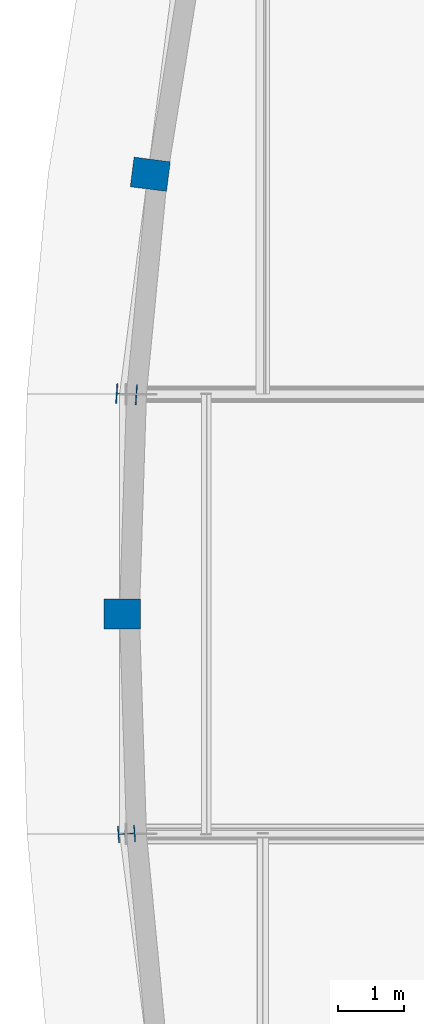
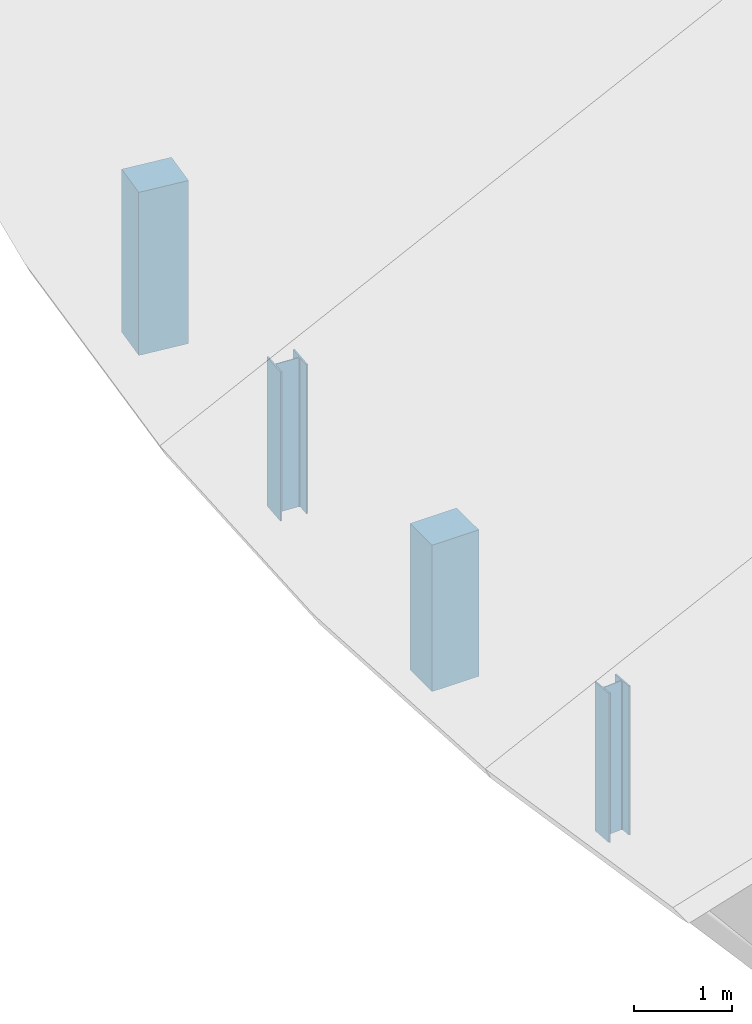
# One storey, part 3 of 78: 4 columns.
"""IFC4 building model written with IfcOpenShell, lengths in metres."""

from ifc_helpers import new_model, si_unit, direction, frame, origin, origin_2d, place, context, subcontext, project, spatial, rectangle, i_section, extrude, material, material_profile, profile_set, type_object, element, save


model = new_model("IFC4")

# Units and contexts
model_context = context("Model", 3, precision=1e-05, world=origin(), true_north=direction((0.0, 1.0)))
body_context = subcontext(model_context, "Body", "Model", "MODEL_VIEW")
ifc_project = project(units=[si_unit("LENGTHUNIT", "METRE"), si_unit("AREAUNIT", "SQUARE_METRE"), si_unit("VOLUMEUNIT", "CUBIC_METRE"), si_unit("PLANEANGLEUNIT", "RADIAN"), si_unit("MASSUNIT", "GRAM", prefix="KILO")], contexts=[model_context])

# Site, building, storey
site_placement = place(None, origin())
site = spatial("IfcSite", under=ifc_project, at=site_placement, CompositionType="ELEMENT")
building_placement = place(site_placement, origin())
building = spatial("IfcBuilding", under=site, at=building_placement, Name="Kelanivale Promenade Academy", CompositionType="ELEMENT")
storey_placement = place(building_placement, frame((0.0, 0.0, 16.199951171875)))
storey = spatial("IfcBuildingStorey", under=building, at=storey_placement, Name="L04", CompositionType="ELEMENT", Elevation=16.199951171875)

# Columns
ifc_material_1 = material(Name="Concrete C40/50", Category="concrete")
ifc_material_profile_1 = material_profile(ifc_material_1, rectangle(XDim=0.449951171875, YDim=0.550048828125, at=origin_2d()), Name="RC-PIL 450x550")
ifc_profile_set_1 = profile_set([ifc_material_profile_1], Name="Concrete C40/50")
column_type_1 = type_object("IfcColumnType", Name="PL-17 RC-PIL 450x550", PredefinedType="PILASTER", material=ifc_profile_set_1)
column_1_placement = place(storey_placement, frame((2.43994140625, 56.199951171875, 0.0), z_axis=(0.0, 0.0, 1.0), x_axis=(0.0, 1.0, 0.0)))
element("IfcColumn", 1, at=column_1_placement, inside=storey, type_object=column_type_1, Name="Column PL-17 at (2.4, 56.2) L04", PredefinedType="PILASTER", context=body_context, shape_type="SweptSolid", body=[
    extrude(rectangle(XDim=0.449951171875, YDim=0.550048828125, at=origin_2d()), origin(), (0.0, 0.0, 1.0), 1.822021484375),
])
column_2_placement = place(storey_placement, frame((2.864013671875, 62.8291015625, 0.0), z_axis=(0.0, 0.0, 1.0), x_axis=(0.12741083733, 0.991850028246, 0.0)))
element("IfcColumn", 2, at=column_2_placement, inside=storey, type_object=column_type_1, Name="Column PL-17 at (2.9, 62.8) L04", PredefinedType="PILASTER", context=body_context, shape_type="SweptSolid", body=[
    extrude(rectangle(XDim=0.449951171875, YDim=0.550048828125, at=origin_2d()), origin(), (0.0, 0.0, 1.0), 2.029052734375),
])
ifc_material_2 = material(Name="Steel S355", Category="steel")
ifc_material_profile_2 = material_profile(ifc_material_2, i_section(OverallWidth=0.25634765625, OverallDepth=0.26025390625, WebThickness=0.01025390625, FlangeThickness=0.017333984375, FilletRadius=0.0126953125, at=origin_2d()), Name="UC 254x254x89")
ifc_profile_set_2 = profile_set([ifc_material_profile_2], Name="Steel S355")
column_type_2 = type_object("IfcColumnType", Name="SC-03 UC 254x254x89", PredefinedType="COLUMN", material=ifc_profile_set_2)
column_3_placement = place(storey_placement, frame((2.506103515625, 52.885986328125, 0.0), z_axis=(0.0, 0.0, 1.0), x_axis=(-0.063661438132, 0.99797155335, 0.0)))
element("IfcColumn", 3, at=column_3_placement, inside=storey, type_object=column_type_2, Name="Column SC-03 at (2.5, 52.9) L04", PredefinedType="COLUMN", context=body_context, shape_type="SweptSolid", body=[
    extrude(i_section(OverallWidth=0.25634765625, OverallDepth=0.26025390625, WebThickness=0.01025390625, FlangeThickness=0.017333984375, FilletRadius=0.0126953125, at=origin_2d()), origin(), (0.0, 0.0, 1.0), 1.85400390625),
])
ifc_material_profile_3 = material_profile(ifc_material_2, i_section(OverallWidth=0.307373046875, OverallDepth=0.314453125, WebThickness=0.011962890625, FlangeThickness=0.018798828125, FilletRadius=0.01513671875, at=origin_2d()), Name="UC 305x305x118")
ifc_profile_set_3 = profile_set([ifc_material_profile_3], Name="Steel S355")
column_type_3 = type_object("IfcColumnType", Name="SC-04 UC 305x305x118", PredefinedType="COLUMN", material=ifc_profile_set_3)
column_4_placement = place(storey_placement, frame((2.506103515625, 59.513916015625, 0.0), z_axis=(0.0, 0.0, 1.0), x_axis=(0.063661438132, 0.99797155335, 0.0)))
element("IfcColumn", 4, at=column_4_placement, inside=storey, type_object=column_type_3, Name="Column SC-04 at (2.5, 59.5) L04", PredefinedType="COLUMN", context=body_context, shape_type="SweptSolid", body=[
    extrude(i_section(OverallWidth=0.307373046875, OverallDepth=0.314453125, WebThickness=0.011962890625, FlangeThickness=0.018798828125, FilletRadius=0.01513671875, at=origin_2d()), origin(), (0.0, 0.0, 1.0), 1.85400390625),
])

save(model, "model.ifc")
